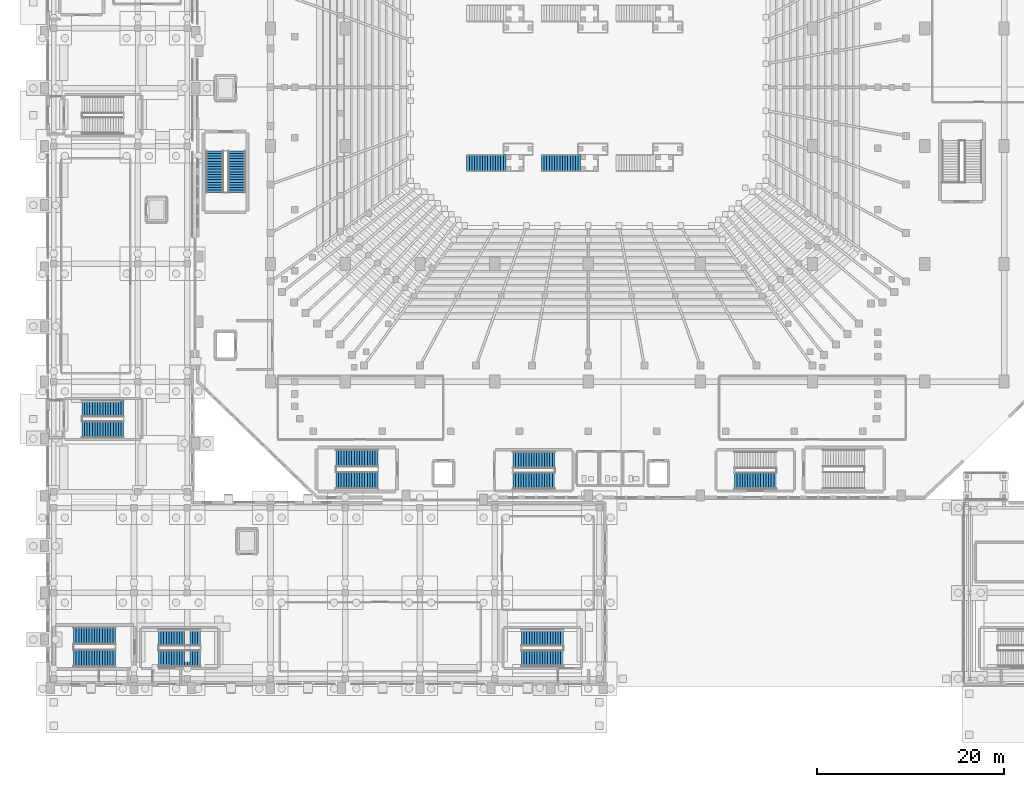
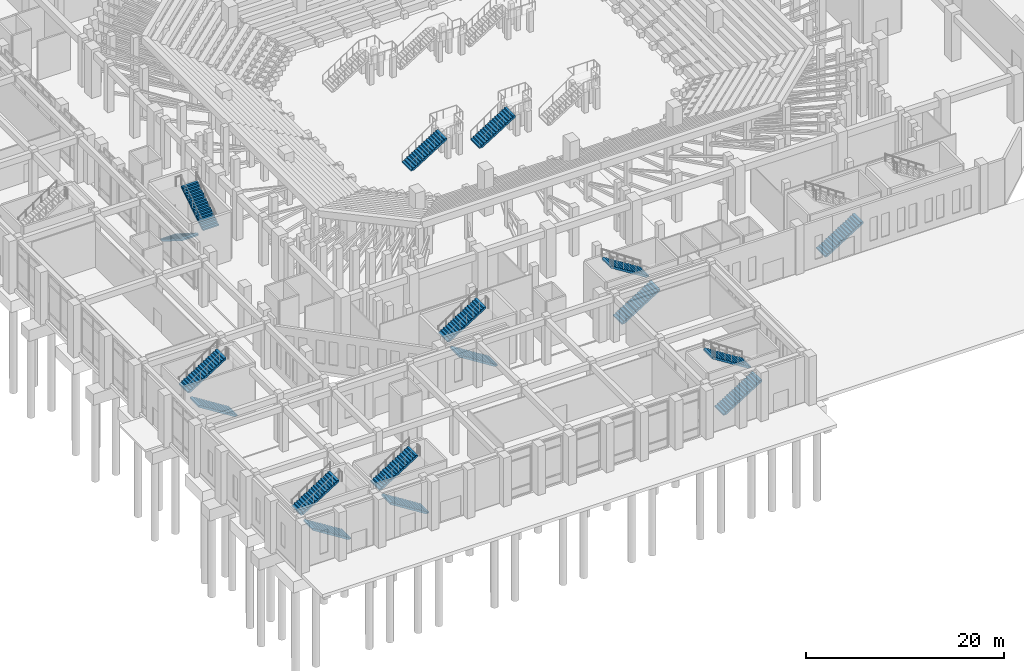
# One storey, part 122 of 143: 17 stair flights, 10 elements without a shape of their own.
"""IFC4 building model written with IfcOpenShell, lengths in metres."""

from ifc_helpers import new_model, si_unit, derived_unit, direction, frame, origin, place, context, subcontext, project, spatial, polyline, outline, extrude, material, type_object, element, aggregate, save


model = new_model("IFC4")

# Units and contexts
model_context = context("Model", 3, precision=1e-05, world=origin(), true_north=direction((0.0, 1.0)))
body_context = subcontext(model_context, "Body", "Model", "MODEL_VIEW")
ifc_project = project(units=[si_unit("LENGTHUNIT", "METRE"), si_unit("AREAUNIT", "SQUARE_METRE"), si_unit("VOLUMEUNIT", "CUBIC_METRE"), si_unit("PLANEANGLEUNIT", "RADIAN"), si_unit("MASSUNIT", "GRAM", prefix="KILO"), derived_unit("THERMALTRANSMITTANCEUNIT", [(si_unit("MASSUNIT", "GRAM", prefix="KILO"), 1), (si_unit("TIMEUNIT", "SECOND"), -3), (si_unit("THERMODYNAMICTEMPERATUREUNIT", "KELVIN"), -1)])], contexts=[model_context])

# Site, building, storey
site_placement = place(None, origin())
site = spatial("IfcSite", under=ifc_project, at=site_placement, CompositionType="ELEMENT")
building_placement = place(site_placement, origin())
building = spatial("IfcBuilding", under=site, at=building_placement, Name="Valcora Ridge Arena", CompositionType="ELEMENT")
storey_placement = place(building_placement, origin())
storey = spatial("IfcBuildingStorey", under=building, at=storey_placement, Name="L00", CompositionType="ELEMENT", Elevation=0.0)

# Stair, stair flights
ifc_material = material(Name="Concrete C40/50", Category="concrete")
stair_type_1 = type_object("IfcStairType", Name="TY-STAIR-ES01-60", PredefinedType="HALF_TURN_STAIR", material=ifc_material)
stair_1_placement = place(storey_placement, origin())
stair_1 = element("IfcStair", 1, at=stair_1_placement, inside=storey, type_object=stair_type_1, Name="ES01-60 STR-ES-0001", PredefinedType="HALF_TURN_STAIR")
stair_flight_type_1 = type_object("IfcStairFlightType", Name="TY-FLIGHT-ES01-60", PredefinedType="STRAIGHT", material=ifc_material)
stair_flight_1_placement = place(storey_placement, frame((49.9599609375, 21.97998046875, 0.0), z_axis=(0.0, 0.0, 1.0), x_axis=(1.0, 0.0, 0.0)))
stair_flight_1 = element("IfcStairFlight", 2, at=stair_flight_1_placement, type_object=stair_flight_type_1, Name="ES01-60 flight 1", NumberOfRisers=17, NumberOfTreads=16, PredefinedType="STRAIGHT", RiserHeight=0.176471, TreadLength=0.28, context=body_context, shape_type="SweptSolid", body=[
    extrude(outline(polyline([(0.0, 0.0), (0.0, 0.176513671875), (0.280029296875, 0.176513671875), (0.280029296875, 0.35302734375), (0.56005859375, 0.35302734375), (0.56005859375, 0.529296875), (0.840087890625, 0.529296875), (0.840087890625, 0.705810546875), (1.1201171875, 0.705810546875), (1.1201171875, 0.88232421875), (1.39990234375, 0.88232421875), (1.39990234375, 1.058837890625), (1.679931640625, 1.058837890625), (1.679931640625, 1.2353515625), (1.9599609375, 1.2353515625), (1.9599609375, 1.411865234375), (2.239990234375, 1.411865234375), (2.239990234375, 1.588134765625), (2.52001953125, 1.588134765625), (2.52001953125, 1.7646484375), (2.800048828125, 1.7646484375), (2.800048828125, 1.941162109375), (3.080078125, 1.941162109375), (3.080078125, 2.11767578125), (3.360107421875, 2.11767578125), (3.360107421875, 2.294189453125), (3.639892578125, 2.294189453125), (3.639892578125, 2.470703125), (3.919921875, 2.470703125), (3.919921875, 2.64697265625), (4.199951171875, 2.64697265625), (4.199951171875, 2.823486328125), (4.47998046875, 2.823486328125), (4.47998046875, 3.0), (4.47998046875, 2.61083984375), (0.33740234375, 0.0), (0.0, 0.0)])), frame((0.0, 0.89990234375, 0.0), z_axis=(0.0, -1.0, 0.0), x_axis=(1.0, 0.0, 0.0)), (0.0, 0.0, 1.0), 1.800048828125),
])
stair_flight_2_placement = place(storey_placement, frame((54.43994140625, 24.219970703125, 3.0), z_axis=(0.0, 0.0, 1.0), x_axis=(-1.0, 0.0, 0.0)))
stair_flight_2 = element("IfcStairFlight", 3, at=stair_flight_2_placement, type_object=stair_flight_type_1, Name="ES01-60 flight 2", NumberOfRisers=17, NumberOfTreads=16, PredefinedType="STRAIGHT", RiserHeight=0.176471, TreadLength=0.28, context=body_context, shape_type="SweptSolid", body=[
    extrude(outline(polyline([(0.0, 0.0), (0.0, 0.176513671875), (0.280029296875, 0.176513671875), (0.280029296875, 0.35302734375), (0.56005859375, 0.35302734375), (0.56005859375, 0.529296875), (0.840087890625, 0.529296875), (0.840087890625, 0.705810546875), (1.1201171875, 0.705810546875), (1.1201171875, 0.88232421875), (1.39990234375, 0.88232421875), (1.39990234375, 1.058837890625), (1.679931640625, 1.058837890625), (1.679931640625, 1.2353515625), (1.9599609375, 1.2353515625), (1.9599609375, 1.411865234375), (2.239990234375, 1.411865234375), (2.239990234375, 1.588134765625), (2.52001953125, 1.588134765625), (2.52001953125, 1.7646484375), (2.800048828125, 1.7646484375), (2.800048828125, 1.941162109375), (3.080078125, 1.941162109375), (3.080078125, 2.11767578125), (3.360107421875, 2.11767578125), (3.360107421875, 2.294189453125), (3.639892578125, 2.294189453125), (3.639892578125, 2.470703125), (3.919921875, 2.470703125), (3.919921875, 2.64697265625), (4.199951171875, 2.64697265625), (4.199951171875, 2.823486328125), (4.47998046875, 2.823486328125), (4.47998046875, 3.0), (4.47998046875, 2.61083984375), (0.33740234375, 0.0), (0.0, 0.0)])), frame((0.0, 0.89990234375, 0.0), z_axis=(0.0, -1.0, 0.0), x_axis=(1.0, 0.0, 0.0)), (0.0, 0.0, 1.0), 1.800048828125),
])
aggregate(stair_1, [stair_flight_1, stair_flight_2])

# Stair, stair flight
stair_type_2 = type_object("IfcStairType", Name="TY-STAIR-ES02-60", PredefinedType="HALF_TURN_STAIR", material=ifc_material)
stair_2_placement = place(storey_placement, origin())
stair_2 = element("IfcStair", 4, at=stair_2_placement, inside=storey, type_object=stair_type_2, Name="ES02-60 STR-ES-0005", PredefinedType="HALF_TURN_STAIR")
stair_flight_type_2 = type_object("IfcStairFlightType", Name="TY-FLIGHT-ES02-60", PredefinedType="STRAIGHT", material=ifc_material)
stair_flight_3_placement = place(storey_placement, frame((73.659912109375, 21.97998046875, 0.0), z_axis=(0.0, 0.0, 1.0), x_axis=(1.0, 0.0, 0.0)))
stair_flight_3 = element("IfcStairFlight", 5, at=stair_flight_3_placement, type_object=stair_flight_type_2, Name="ES02-60 flight 1", NumberOfRisers=17, NumberOfTreads=16, PredefinedType="STRAIGHT", RiserHeight=0.176471, TreadLength=0.28, context=body_context, shape_type="SweptSolid", body=[
    extrude(outline(polyline([(0.0, 0.0), (0.0, 0.176513671875), (0.280029296875, 0.176513671875), (0.280029296875, 0.35302734375), (0.56005859375, 0.35302734375), (0.56005859375, 0.529296875), (0.840087890625, 0.529296875), (0.840087890625, 0.705810546875), (1.1201171875, 0.705810546875), (1.1201171875, 0.88232421875), (1.39990234375, 0.88232421875), (1.39990234375, 1.058837890625), (1.679931640625, 1.058837890625), (1.679931640625, 1.2353515625), (1.9599609375, 1.2353515625), (1.9599609375, 1.411865234375), (2.239990234375, 1.411865234375), (2.239990234375, 1.588134765625), (2.52001953125, 1.588134765625), (2.52001953125, 1.7646484375), (2.800048828125, 1.7646484375), (2.800048828125, 1.941162109375), (3.080078125, 1.941162109375), (3.080078125, 2.11767578125), (3.360107421875, 2.11767578125), (3.360107421875, 2.294189453125), (3.639892578125, 2.294189453125), (3.639892578125, 2.470703125), (3.919921875, 2.470703125), (3.919921875, 2.64697265625), (4.199951171875, 2.64697265625), (4.199951171875, 2.823486328125), (4.47998046875, 2.823486328125), (4.47998046875, 3.0), (4.47998046875, 2.61083984375), (0.33740234375, 0.0), (0.0, 0.0)])), frame((0.0, 0.89990234375, 0.0), z_axis=(0.0, -1.0, 0.0), x_axis=(1.0, 0.0, 0.0)), (0.0, 0.0, 1.0), 1.800048828125),
])
aggregate(stair_2, [stair_flight_3])

# Stair, stair flights
stair_type_3 = type_object("IfcStairType", Name="TY-STAIR-ES05-60", PredefinedType="HALF_TURN_STAIR", material=ifc_material)
stair_3_placement = place(storey_placement, origin())
stair_3 = element("IfcStair", 6, at=stair_3_placement, inside=storey, type_object=stair_type_3, Name="ES05-60 STR-ES-0017", PredefinedType="HALF_TURN_STAIR")
stair_flight_type_3 = type_object("IfcStairFlightType", Name="TY-FLIGHT-ES05-60", PredefinedType="STRAIGHT", material=ifc_material)
stair_flight_4_placement = place(storey_placement, frame((16.5, 2.97998046875, 0.0), z_axis=(0.0, 0.0, 1.0), x_axis=(-1.0, 0.0, 0.0)))
stair_flight_4 = element("IfcStairFlight", 7, at=stair_flight_4_placement, type_object=stair_flight_type_3, Name="ES05-60 flight 1", NumberOfRisers=17, NumberOfTreads=16, PredefinedType="STRAIGHT", RiserHeight=0.176471, TreadLength=0.28, context=body_context, shape_type="SweptSolid", body=[
    extrude(outline(polyline([(0.0, 0.0), (0.0, 0.176513671875), (0.280029296875, 0.176513671875), (0.280029296875, 0.35302734375), (0.56005859375, 0.35302734375), (0.56005859375, 0.529296875), (0.840087890625, 0.529296875), (0.840087890625, 0.705810546875), (1.1201171875, 0.705810546875), (1.1201171875, 0.88232421875), (1.39990234375, 0.88232421875), (1.39990234375, 1.058837890625), (1.679931640625, 1.058837890625), (1.679931640625, 1.2353515625), (1.9599609375, 1.2353515625), (1.9599609375, 1.411865234375), (2.239990234375, 1.411865234375), (2.239990234375, 1.588134765625), (2.52001953125, 1.588134765625), (2.52001953125, 1.7646484375), (2.800048828125, 1.7646484375), (2.800048828125, 1.941162109375), (3.080078125, 1.941162109375), (3.080078125, 2.11767578125), (3.360107421875, 2.11767578125), (3.360107421875, 2.294189453125), (3.639892578125, 2.294189453125), (3.639892578125, 2.470703125), (3.919921875, 2.470703125), (3.919921875, 2.64697265625), (4.199951171875, 2.64697265625), (4.199951171875, 2.823486328125), (4.47998046875, 2.823486328125), (4.47998046875, 3.0), (4.47998046875, 2.61083984375), (0.33740234375, 0.0), (0.0, 0.0)])), frame((0.0, 0.89990234375, 0.0), z_axis=(0.0, -1.0, 0.0), x_axis=(1.0, 0.0, 0.0)), (0.0, 0.0, 1.0), 1.800048828125),
])
stair_flight_5_placement = place(storey_placement, frame((12.02001953125, 5.219970703125, 3.0), z_axis=(0.0, 0.0, 1.0), x_axis=(1.0, 0.0, 0.0)))
stair_flight_5 = element("IfcStairFlight", 8, at=stair_flight_5_placement, type_object=stair_flight_type_3, Name="ES05-60 flight 2", NumberOfRisers=17, NumberOfTreads=16, PredefinedType="STRAIGHT", RiserHeight=0.176471, TreadLength=0.28, context=body_context, shape_type="SweptSolid", body=[
    extrude(outline(polyline([(0.0, 0.0), (0.0, 0.176513671875), (0.280029296875, 0.176513671875), (0.280029296875, 0.35302734375), (0.56005859375, 0.35302734375), (0.56005859375, 0.529296875), (0.840087890625, 0.529296875), (0.840087890625, 0.705810546875), (1.1201171875, 0.705810546875), (1.1201171875, 0.88232421875), (1.39990234375, 0.88232421875), (1.39990234375, 1.058837890625), (1.679931640625, 1.058837890625), (1.679931640625, 1.2353515625), (1.9599609375, 1.2353515625), (1.9599609375, 1.411865234375), (2.239990234375, 1.411865234375), (2.239990234375, 1.588134765625), (2.52001953125, 1.588134765625), (2.52001953125, 1.7646484375), (2.800048828125, 1.7646484375), (2.800048828125, 1.941162109375), (3.080078125, 1.941162109375), (3.080078125, 2.11767578125), (3.360107421875, 2.11767578125), (3.360107421875, 2.294189453125), (3.639892578125, 2.294189453125), (3.639892578125, 2.470703125), (3.919921875, 2.470703125), (3.919921875, 2.64697265625), (4.199951171875, 2.64697265625), (4.199951171875, 2.823486328125), (4.47998046875, 2.823486328125), (4.47998046875, 3.0), (4.47998046875, 2.61083984375), (0.33740234375, 0.0), (0.0, 0.0)])), frame((0.0, 0.89990234375, 0.0), z_axis=(0.0, -1.0, 0.0), x_axis=(1.0, 0.0, 0.0)), (0.0, 0.0, 1.0), 1.800048828125),
])
aggregate(stair_3, [stair_flight_4, stair_flight_5])

stair_type_4 = type_object("IfcStairType", Name="TY-STAIR-ES06-60", PredefinedType="HALF_TURN_STAIR", material=ifc_material)
stair_4_placement = place(storey_placement, origin())
stair_4 = element("IfcStair", 9, at=stair_4_placement, inside=storey, type_object=stair_type_4, Name="ES06-60 STR-ES-0021", PredefinedType="HALF_TURN_STAIR")
stair_flight_type_4 = type_object("IfcStairFlightType", Name="TY-FLIGHT-ES06-60", PredefinedType="STRAIGHT", material=ifc_material)
stair_flight_6_placement = place(storey_placement, frame((50.860107421875, 2.97998046875, 0.0), z_axis=(0.0, 0.0, 1.0), x_axis=(1.0, 0.0, 0.0)))
stair_flight_6 = element("IfcStairFlight", 10, at=stair_flight_6_placement, type_object=stair_flight_type_4, Name="ES06-60 flight 1", NumberOfRisers=17, NumberOfTreads=16, PredefinedType="STRAIGHT", RiserHeight=0.176471, TreadLength=0.28, context=body_context, shape_type="SweptSolid", body=[
    extrude(outline(polyline([(0.0, 0.0), (0.0, 0.176513671875), (0.280029296875, 0.176513671875), (0.280029296875, 0.35302734375), (0.56005859375, 0.35302734375), (0.56005859375, 0.529296875), (0.840087890625, 0.529296875), (0.840087890625, 0.705810546875), (1.1201171875, 0.705810546875), (1.1201171875, 0.88232421875), (1.39990234375, 0.88232421875), (1.39990234375, 1.058837890625), (1.679931640625, 1.058837890625), (1.679931640625, 1.2353515625), (1.9599609375, 1.2353515625), (1.9599609375, 1.411865234375), (2.239990234375, 1.411865234375), (2.239990234375, 1.588134765625), (2.52001953125, 1.588134765625), (2.52001953125, 1.7646484375), (2.800048828125, 1.7646484375), (2.800048828125, 1.941162109375), (3.080078125, 1.941162109375), (3.080078125, 2.11767578125), (3.360107421875, 2.11767578125), (3.360107421875, 2.294189453125), (3.639892578125, 2.294189453125), (3.639892578125, 2.470703125), (3.919921875, 2.470703125), (3.919921875, 2.64697265625), (4.199951171875, 2.64697265625), (4.199951171875, 2.823486328125), (4.47998046875, 2.823486328125), (4.47998046875, 3.0), (4.47998046875, 2.61083984375), (0.33740234375, 0.0), (0.0, 0.0)])), frame((0.0, 0.89990234375, 0.0), z_axis=(0.0, -1.0, 0.0), x_axis=(1.0, 0.0, 0.0)), (0.0, 0.0, 1.0), 1.800048828125),
])
stair_flight_7_placement = place(storey_placement, frame((55.340087890625, 5.219970703125, 3.0), z_axis=(0.0, 0.0, 1.0), x_axis=(-1.0, 0.0, 0.0)))
stair_flight_7 = element("IfcStairFlight", 11, at=stair_flight_7_placement, type_object=stair_flight_type_4, Name="ES06-60 flight 2", NumberOfRisers=17, NumberOfTreads=16, PredefinedType="STRAIGHT", RiserHeight=0.176471, TreadLength=0.28, context=body_context, shape_type="SweptSolid", body=[
    extrude(outline(polyline([(0.0, 0.0), (0.0, 0.176513671875), (0.280029296875, 0.176513671875), (0.280029296875, 0.35302734375), (0.56005859375, 0.35302734375), (0.56005859375, 0.529296875), (0.840087890625, 0.529296875), (0.840087890625, 0.705810546875), (1.1201171875, 0.705810546875), (1.1201171875, 0.88232421875), (1.39990234375, 0.88232421875), (1.39990234375, 1.058837890625), (1.679931640625, 1.058837890625), (1.679931640625, 1.2353515625), (1.9599609375, 1.2353515625), (1.9599609375, 1.411865234375), (2.239990234375, 1.411865234375), (2.239990234375, 1.588134765625), (2.52001953125, 1.588134765625), (2.52001953125, 1.7646484375), (2.800048828125, 1.7646484375), (2.800048828125, 1.941162109375), (3.080078125, 1.941162109375), (3.080078125, 2.11767578125), (3.360107421875, 2.11767578125), (3.360107421875, 2.294189453125), (3.639892578125, 2.294189453125), (3.639892578125, 2.470703125), (3.919921875, 2.470703125), (3.919921875, 2.64697265625), (4.199951171875, 2.64697265625), (4.199951171875, 2.823486328125), (4.47998046875, 2.823486328125), (4.47998046875, 3.0), (4.47998046875, 2.61083984375), (0.33740234375, 0.0), (0.0, 0.0)])), frame((0.0, 0.89990234375, 0.0), z_axis=(0.0, -1.0, 0.0), x_axis=(1.0, 0.0, 0.0)), (0.0, 0.0, 1.0), 1.800048828125),
])
aggregate(stair_4, [stair_flight_6, stair_flight_7])

stair_type_5 = type_object("IfcStairType", Name="TY-STAIR-ES07-60", PredefinedType="HALF_TURN_STAIR", material=ifc_material)
stair_5_placement = place(storey_placement, origin())
stair_5 = element("IfcStair", 12, at=stair_5_placement, inside=storey, type_object=stair_type_5, Name="ES07-60 STR-ES-0023", PredefinedType="HALF_TURN_STAIR")
stair_flight_type_5 = type_object("IfcStairFlightType", Name="TY-FLIGHT-ES07-60", PredefinedType="STRAIGHT", material=ifc_material)
stair_flight_8_placement = place(storey_placement, frame((8.300048828125, 27.47998046875, 0.0), z_axis=(0.0, 0.0, 1.0), x_axis=(-1.0, 0.0, 0.0)))
stair_flight_8 = element("IfcStairFlight", 13, at=stair_flight_8_placement, type_object=stair_flight_type_5, Name="ES07-60 flight 1", NumberOfRisers=17, NumberOfTreads=16, PredefinedType="STRAIGHT", RiserHeight=0.176471, TreadLength=0.28, context=body_context, shape_type="SweptSolid", body=[
    extrude(outline(polyline([(0.0, 0.0), (0.0, 0.176513671875), (0.280029296875, 0.176513671875), (0.280029296875, 0.35302734375), (0.56005859375, 0.35302734375), (0.56005859375, 0.529296875), (0.840087890625, 0.529296875), (0.840087890625, 0.705810546875), (1.1201171875, 0.705810546875), (1.1201171875, 0.88232421875), (1.39990234375, 0.88232421875), (1.39990234375, 1.058837890625), (1.679931640625, 1.058837890625), (1.679931640625, 1.2353515625), (1.9599609375, 1.2353515625), (1.9599609375, 1.411865234375), (2.239990234375, 1.411865234375), (2.239990234375, 1.588134765625), (2.52001953125, 1.588134765625), (2.52001953125, 1.7646484375), (2.800048828125, 1.7646484375), (2.800048828125, 1.941162109375), (3.080078125, 1.941162109375), (3.080078125, 2.11767578125), (3.360107421875, 2.11767578125), (3.360107421875, 2.294189453125), (3.639892578125, 2.294189453125), (3.639892578125, 2.470703125), (3.919921875, 2.470703125), (3.919921875, 2.64697265625), (4.199951171875, 2.64697265625), (4.199951171875, 2.823486328125), (4.47998046875, 2.823486328125), (4.47998046875, 3.0), (4.47998046875, 2.61083984375), (0.33740234375, 0.0), (0.0, 0.0)])), frame((0.0, 0.89990234375, 0.0), z_axis=(0.0, -1.0, 0.0), x_axis=(1.0, 0.0, 0.0)), (0.0, 0.0, 1.0), 1.800048828125),
])
stair_flight_9_placement = place(storey_placement, frame((3.820068359375, 29.719970703125, 3.0), z_axis=(0.0, 0.0, 1.0), x_axis=(1.0, 0.0, 0.0)))
stair_flight_9 = element("IfcStairFlight", 14, at=stair_flight_9_placement, type_object=stair_flight_type_5, Name="ES07-60 flight 2", NumberOfRisers=17, NumberOfTreads=16, PredefinedType="STRAIGHT", RiserHeight=0.176471, TreadLength=0.28, context=body_context, shape_type="SweptSolid", body=[
    extrude(outline(polyline([(0.0, 0.0), (0.0, 0.176513671875), (0.280029296875, 0.176513671875), (0.280029296875, 0.35302734375), (0.56005859375, 0.35302734375), (0.56005859375, 0.529296875), (0.840087890625, 0.529296875), (0.840087890625, 0.705810546875), (1.1201171875, 0.705810546875), (1.1201171875, 0.88232421875), (1.39990234375, 0.88232421875), (1.39990234375, 1.058837890625), (1.679931640625, 1.058837890625), (1.679931640625, 1.2353515625), (1.9599609375, 1.2353515625), (1.9599609375, 1.411865234375), (2.239990234375, 1.411865234375), (2.239990234375, 1.588134765625), (2.52001953125, 1.588134765625), (2.52001953125, 1.7646484375), (2.800048828125, 1.7646484375), (2.800048828125, 1.941162109375), (3.080078125, 1.941162109375), (3.080078125, 2.11767578125), (3.360107421875, 2.11767578125), (3.360107421875, 2.294189453125), (3.639892578125, 2.294189453125), (3.639892578125, 2.470703125), (3.919921875, 2.470703125), (3.919921875, 2.64697265625), (4.199951171875, 2.64697265625), (4.199951171875, 2.823486328125), (4.47998046875, 2.823486328125), (4.47998046875, 3.0), (4.47998046875, 2.61083984375), (0.33740234375, 0.0), (0.0, 0.0)])), frame((0.0, 0.89990234375, 0.0), z_axis=(0.0, -1.0, 0.0), x_axis=(1.0, 0.0, 0.0)), (0.0, 0.0, 1.0), 1.800048828125),
])
aggregate(stair_5, [stair_flight_8, stair_flight_9])

stair_type_6 = type_object("IfcStairType", Name="TY-STAIR-ST01-60", PredefinedType="HALF_TURN_STAIR", material=ifc_material)
stair_6_placement = place(storey_placement, origin())
stair_6 = element("IfcStair", 15, at=stair_6_placement, inside=storey, type_object=stair_type_6, Name="ST01-60 STR-CR-0002", PredefinedType="HALF_TURN_STAIR")
stair_flight_type_6 = type_object("IfcStairFlightType", Name="TY-FLIGHT-ST01-60", PredefinedType="STRAIGHT", material=ifc_material)
stair_flight_10_placement = place(storey_placement, frame((35.489990234375, 22.0048828125, 0.0), z_axis=(0.0, 0.0, 1.0), x_axis=(-1.0, 0.0, 0.0)))
stair_flight_10 = element("IfcStairFlight", 16, at=stair_flight_10_placement, type_object=stair_flight_type_6, Name="ST01-60 flight 1", NumberOfRisers=17, NumberOfTreads=16, PredefinedType="STRAIGHT", RiserHeight=0.176471, TreadLength=0.28, context=body_context, shape_type="SweptSolid", body=[
    extrude(outline(polyline([(0.0, 0.0), (0.0, 0.176513671875), (0.280029296875, 0.176513671875), (0.280029296875, 0.35302734375), (0.56005859375, 0.35302734375), (0.56005859375, 0.529296875), (0.840087890625, 0.529296875), (0.840087890625, 0.705810546875), (1.1201171875, 0.705810546875), (1.1201171875, 0.88232421875), (1.39990234375, 0.88232421875), (1.39990234375, 1.058837890625), (1.679931640625, 1.058837890625), (1.679931640625, 1.2353515625), (1.9599609375, 1.2353515625), (1.9599609375, 1.411865234375), (2.239990234375, 1.411865234375), (2.239990234375, 1.588134765625), (2.52001953125, 1.588134765625), (2.52001953125, 1.7646484375), (2.800048828125, 1.7646484375), (2.800048828125, 1.941162109375), (3.080078125, 1.941162109375), (3.080078125, 2.11767578125), (3.360107421875, 2.11767578125), (3.360107421875, 2.294189453125), (3.639892578125, 2.294189453125), (3.639892578125, 2.470703125), (3.919921875, 2.470703125), (3.919921875, 2.64697265625), (4.199951171875, 2.64697265625), (4.199951171875, 2.823486328125), (4.47998046875, 2.823486328125), (4.47998046875, 3.0), (4.47998046875, 2.61083984375), (0.33740234375, 0.0), (0.0, 0.0)])), frame((0.0, 0.925048828125, 0.0), z_axis=(0.0, -1.0, 0.0), x_axis=(1.0, 0.0, 0.0)), (0.0, 0.0, 1.0), 1.85009765625),
])
stair_flight_11_placement = place(storey_placement, frame((31.010009765625, 24.39501953125, 3.0), z_axis=(0.0, 0.0, 1.0), x_axis=(1.0, 0.0, 0.0)))
stair_flight_11 = element("IfcStairFlight", 17, at=stair_flight_11_placement, type_object=stair_flight_type_6, Name="ST01-60 flight 2", NumberOfRisers=17, NumberOfTreads=16, PredefinedType="STRAIGHT", RiserHeight=0.176471, TreadLength=0.28, context=body_context, shape_type="SweptSolid", body=[
    extrude(outline(polyline([(0.0, 0.0), (0.0, 0.176513671875), (0.280029296875, 0.176513671875), (0.280029296875, 0.35302734375), (0.56005859375, 0.35302734375), (0.56005859375, 0.529296875), (0.840087890625, 0.529296875), (0.840087890625, 0.705810546875), (1.1201171875, 0.705810546875), (1.1201171875, 0.88232421875), (1.39990234375, 0.88232421875), (1.39990234375, 1.058837890625), (1.679931640625, 1.058837890625), (1.679931640625, 1.2353515625), (1.9599609375, 1.2353515625), (1.9599609375, 1.411865234375), (2.239990234375, 1.411865234375), (2.239990234375, 1.588134765625), (2.52001953125, 1.588134765625), (2.52001953125, 1.7646484375), (2.800048828125, 1.7646484375), (2.800048828125, 1.941162109375), (3.080078125, 1.941162109375), (3.080078125, 2.11767578125), (3.360107421875, 2.11767578125), (3.360107421875, 2.294189453125), (3.639892578125, 2.294189453125), (3.639892578125, 2.470703125), (3.919921875, 2.470703125), (3.919921875, 2.64697265625), (4.199951171875, 2.64697265625), (4.199951171875, 2.823486328125), (4.47998046875, 2.823486328125), (4.47998046875, 3.0), (4.47998046875, 2.61083984375), (0.33740234375, 0.0), (0.0, 0.0)])), frame((0.0, 0.925048828125, 0.0), z_axis=(0.0, -1.0, 0.0), x_axis=(1.0, 0.0, 0.0)), (0.0, 0.0, 1.0), 1.85009765625),
])
aggregate(stair_6, [stair_flight_10, stair_flight_11])

stair_type_7 = type_object("IfcStairType", Name="TY-STAIR-ST05-60", PredefinedType="HALF_TURN_STAIR", material=ifc_material)
stair_7_placement = place(storey_placement, origin())
stair_7 = element("IfcStair", 18, at=stair_7_placement, inside=storey, type_object=stair_type_7, Name="ST05-60 STR-CR-0024", PredefinedType="HALF_TURN_STAIR")
stair_flight_type_7 = type_object("IfcStairFlightType", Name="TY-FLIGHT-ST05-60", PredefinedType="STRAIGHT", material=ifc_material)
stair_flight_12_placement = place(storey_placement, frame((18.0048828125, 57.2900390625, 0.0), z_axis=(0.0, 0.0, 1.0), x_axis=(0.0, -1.0, 0.0)))
stair_flight_12 = element("IfcStairFlight", 19, at=stair_flight_12_placement, type_object=stair_flight_type_7, Name="ST05-60 flight 1", NumberOfRisers=17, NumberOfTreads=16, PredefinedType="STRAIGHT", RiserHeight=0.176471, TreadLength=0.28, context=body_context, shape_type="SweptSolid", body=[
    extrude(outline(polyline([(0.0, 0.0), (0.0, 0.176513671875), (0.280029296875, 0.176513671875), (0.280029296875, 0.35302734375), (0.56005859375, 0.35302734375), (0.56005859375, 0.529296875), (0.840087890625, 0.529296875), (0.840087890625, 0.705810546875), (1.1201171875, 0.705810546875), (1.1201171875, 0.88232421875), (1.39990234375, 0.88232421875), (1.39990234375, 1.058837890625), (1.679931640625, 1.058837890625), (1.679931640625, 1.2353515625), (1.9599609375, 1.2353515625), (1.9599609375, 1.411865234375), (2.239990234375, 1.411865234375), (2.239990234375, 1.588134765625), (2.52001953125, 1.588134765625), (2.52001953125, 1.7646484375), (2.800048828125, 1.7646484375), (2.800048828125, 1.941162109375), (3.080078125, 1.941162109375), (3.080078125, 2.11767578125), (3.360107421875, 2.11767578125), (3.360107421875, 2.294189453125), (3.639892578125, 2.294189453125), (3.639892578125, 2.470703125), (3.919921875, 2.470703125), (3.919921875, 2.64697265625), (4.199951171875, 2.64697265625), (4.199951171875, 2.823486328125), (4.47998046875, 2.823486328125), (4.47998046875, 3.0), (4.47998046875, 2.61083984375), (0.33740234375, 0.0), (0.0, 0.0)])), frame((0.0, 0.925048828125, 0.0), z_axis=(0.0, -1.0, 0.0), x_axis=(1.0, 0.0, 0.0)), (0.0, 0.0, 1.0), 1.85009765625),
])
stair_flight_13_placement = place(storey_placement, frame((20.39501953125, 52.81005859375, 3.0), z_axis=(0.0, 0.0, 1.0), x_axis=(0.0, 1.0, 0.0)))
stair_flight_13 = element("IfcStairFlight", 20, at=stair_flight_13_placement, type_object=stair_flight_type_7, Name="ST05-60 flight 2", NumberOfRisers=17, NumberOfTreads=16, PredefinedType="STRAIGHT", RiserHeight=0.176471, TreadLength=0.28, context=body_context, shape_type="SweptSolid", body=[
    extrude(outline(polyline([(0.0, 0.0), (0.0, 0.176513671875), (0.280029296875, 0.176513671875), (0.280029296875, 0.35302734375), (0.56005859375, 0.35302734375), (0.56005859375, 0.529296875), (0.840087890625, 0.529296875), (0.840087890625, 0.705810546875), (1.1201171875, 0.705810546875), (1.1201171875, 0.88232421875), (1.39990234375, 0.88232421875), (1.39990234375, 1.058837890625), (1.679931640625, 1.058837890625), (1.679931640625, 1.2353515625), (1.9599609375, 1.2353515625), (1.9599609375, 1.411865234375), (2.239990234375, 1.411865234375), (2.239990234375, 1.588134765625), (2.52001953125, 1.588134765625), (2.52001953125, 1.7646484375), (2.800048828125, 1.7646484375), (2.800048828125, 1.941162109375), (3.080078125, 1.941162109375), (3.080078125, 2.11767578125), (3.360107421875, 2.11767578125), (3.360107421875, 2.294189453125), (3.639892578125, 2.294189453125), (3.639892578125, 2.470703125), (3.919921875, 2.470703125), (3.919921875, 2.64697265625), (4.199951171875, 2.64697265625), (4.199951171875, 2.823486328125), (4.47998046875, 2.823486328125), (4.47998046875, 3.0), (4.47998046875, 2.61083984375), (0.33740234375, 0.0), (0.0, 0.0)])), frame((0.0, 0.925048828125, 0.0), z_axis=(0.0, -1.0, 0.0), x_axis=(1.0, 0.0, 0.0)), (0.0, 0.0, 1.0), 1.85009765625),
])
aggregate(stair_7, [stair_flight_12, stair_flight_13])

stair_type_8 = type_object("IfcStairType", Name="TY-STAIR-ST07-60", PredefinedType="HALF_TURN_STAIR", material=ifc_material)
stair_8_placement = place(storey_placement, origin())
stair_8 = element("IfcStair", 21, at=stair_8_placement, inside=storey, type_object=stair_type_8, Name="ST07-60 STR-CR-0031", PredefinedType="HALF_TURN_STAIR")
stair_flight_type_8 = type_object("IfcStairFlightType", Name="TY-FLIGHT-ST07-60", PredefinedType="STRAIGHT", material=ifc_material)
stair_flight_14_placement = place(storey_placement, frame((7.409912109375, 3.0048828125, 0.0), z_axis=(0.0, 0.0, 1.0), x_axis=(-1.0, 0.0, 0.0)))
stair_flight_14 = element("IfcStairFlight", 22, at=stair_flight_14_placement, type_object=stair_flight_type_8, Name="ST07-60 flight 1", NumberOfRisers=17, NumberOfTreads=16, PredefinedType="STRAIGHT", RiserHeight=0.176471, TreadLength=0.28, context=body_context, shape_type="SweptSolid", body=[
    extrude(outline(polyline([(0.0, 0.0), (0.0, 0.176513671875), (0.280029296875, 0.176513671875), (0.280029296875, 0.35302734375), (0.56005859375, 0.35302734375), (0.56005859375, 0.529296875), (0.840087890625, 0.529296875), (0.840087890625, 0.705810546875), (1.1201171875, 0.705810546875), (1.1201171875, 0.88232421875), (1.39990234375, 0.88232421875), (1.39990234375, 1.058837890625), (1.679931640625, 1.058837890625), (1.679931640625, 1.2353515625), (1.9599609375, 1.2353515625), (1.9599609375, 1.411865234375), (2.239990234375, 1.411865234375), (2.239990234375, 1.588134765625), (2.52001953125, 1.588134765625), (2.52001953125, 1.7646484375), (2.800048828125, 1.7646484375), (2.800048828125, 1.941162109375), (3.080078125, 1.941162109375), (3.080078125, 2.11767578125), (3.360107421875, 2.11767578125), (3.360107421875, 2.294189453125), (3.639892578125, 2.294189453125), (3.639892578125, 2.470703125), (3.919921875, 2.470703125), (3.919921875, 2.64697265625), (4.199951171875, 2.64697265625), (4.199951171875, 2.823486328125), (4.47998046875, 2.823486328125), (4.47998046875, 3.0), (4.47998046875, 2.61083984375), (0.33740234375, 0.0), (0.0, 0.0)])), frame((0.0, 0.925048828125, 0.0), z_axis=(0.0, -1.0, 0.0), x_axis=(1.0, 0.0, 0.0)), (0.0, 0.0, 1.0), 1.85009765625),
])
stair_flight_15_placement = place(storey_placement, frame((2.929931640625, 5.39501953125, 3.0), z_axis=(0.0, 0.0, 1.0), x_axis=(1.0, 0.0, 0.0)))
stair_flight_15 = element("IfcStairFlight", 23, at=stair_flight_15_placement, type_object=stair_flight_type_8, Name="ST07-60 flight 2", NumberOfRisers=17, NumberOfTreads=16, PredefinedType="STRAIGHT", RiserHeight=0.176471, TreadLength=0.28, context=body_context, shape_type="SweptSolid", body=[
    extrude(outline(polyline([(0.0, 0.0), (0.0, 0.176513671875), (0.280029296875, 0.176513671875), (0.280029296875, 0.35302734375), (0.56005859375, 0.35302734375), (0.56005859375, 0.529296875), (0.840087890625, 0.529296875), (0.840087890625, 0.705810546875), (1.1201171875, 0.705810546875), (1.1201171875, 0.88232421875), (1.39990234375, 0.88232421875), (1.39990234375, 1.058837890625), (1.679931640625, 1.058837890625), (1.679931640625, 1.2353515625), (1.9599609375, 1.2353515625), (1.9599609375, 1.411865234375), (2.239990234375, 1.411865234375), (2.239990234375, 1.588134765625), (2.52001953125, 1.588134765625), (2.52001953125, 1.7646484375), (2.800048828125, 1.7646484375), (2.800048828125, 1.941162109375), (3.080078125, 1.941162109375), (3.080078125, 2.11767578125), (3.360107421875, 2.11767578125), (3.360107421875, 2.294189453125), (3.639892578125, 2.294189453125), (3.639892578125, 2.470703125), (3.919921875, 2.470703125), (3.919921875, 2.64697265625), (4.199951171875, 2.64697265625), (4.199951171875, 2.823486328125), (4.47998046875, 2.823486328125), (4.47998046875, 3.0), (4.47998046875, 2.61083984375), (0.33740234375, 0.0), (0.0, 0.0)])), frame((0.0, 0.925048828125, 0.0), z_axis=(0.0, -1.0, 0.0), x_axis=(1.0, 0.0, 0.0)), (0.0, 0.0, 1.0), 1.85009765625),
])
aggregate(stair_8, [stair_flight_14, stair_flight_15])

# Stair, stair flight
stair_type_9 = type_object("IfcStairType", Name="TY-STAIR-VS-LOW-280", PredefinedType="STRAIGHT_RUN_STAIR", material=ifc_material)
stair_9_placement = place(storey_placement, origin())
stair_9 = element("IfcStair", 24, at=stair_9_placement, inside=storey, type_object=stair_type_9, Name="Vomitory Stair VS-ST1 (VS-LOW-280)", PredefinedType="STRAIGHT_RUN_STAIR")
stair_flight_type_9 = type_object("IfcStairFlightType", Name="TY-FLIGHT-VS-LOW", PredefinedType="STRAIGHT", material=ifc_material)
stair_flight_16_placement = place(storey_placement, frame((45.0, 56.0, 0.0), z_axis=(0.0, 0.0, 1.0), x_axis=(1.0, 0.0, 0.0)))
stair_flight_16 = element("IfcStairFlight", 25, at=stair_flight_16_placement, type_object=stair_flight_type_9, Name="Vomitory Stair Flight VS-ST1 (FL-VS-LOW)", NumberOfRisers=16, NumberOfTreads=15, PredefinedType="STRAIGHT", RiserHeight=0.175, TreadLength=0.28, context=body_context, shape_type="SweptSolid", body=[
    extrude(outline(polyline([(0.0, 0.0), (0.0, 0.175048828125), (0.280029296875, 0.175048828125), (0.280029296875, 0.35009765625), (0.56005859375, 0.35009765625), (0.56005859375, 0.52490234375), (0.840087890625, 0.52490234375), (0.840087890625, 0.699951171875), (1.1201171875, 0.699951171875), (1.1201171875, 0.875), (1.39990234375, 0.875), (1.39990234375, 1.050048828125), (1.679931640625, 1.050048828125), (1.679931640625, 1.22509765625), (1.9599609375, 1.22509765625), (1.9599609375, 1.39990234375), (2.239990234375, 1.39990234375), (2.239990234375, 1.574951171875), (2.52001953125, 1.574951171875), (2.52001953125, 1.75), (2.800048828125, 1.75), (2.800048828125, 1.925048828125), (3.080078125, 1.925048828125), (3.080078125, 2.10009765625), (3.360107421875, 2.10009765625), (3.360107421875, 2.27490234375), (3.639892578125, 2.27490234375), (3.639892578125, 2.449951171875), (3.919921875, 2.449951171875), (3.919921875, 2.625), (4.199951171875, 2.625), (4.199951171875, 2.800048828125), (4.199951171875, 2.412841796875), (0.339599609375, 0.0), (0.0, 0.0)])), frame((0.0, 0.89990234375, 0.0), z_axis=(0.0, -1.0, 0.0), x_axis=(1.0, 0.0, 0.0)), (0.0, 0.0, 1.0), 1.800048828125),
])
aggregate(stair_9, [stair_flight_16])

stair_10_placement = place(storey_placement, origin())
stair_10 = element("IfcStair", 26, at=stair_10_placement, inside=storey, type_object=stair_type_9, Name="Vomitory Stair VS-ST2 (VS-LOW-280)", PredefinedType="STRAIGHT_RUN_STAIR")
stair_flight_17_placement = place(storey_placement, frame((53.0, 56.0, 0.0), z_axis=(0.0, 0.0, 1.0), x_axis=(1.0, 0.0, 0.0)))
stair_flight_17 = element("IfcStairFlight", 27, at=stair_flight_17_placement, type_object=stair_flight_type_9, Name="Vomitory Stair Flight VS-ST2 (FL-VS-LOW)", NumberOfRisers=16, NumberOfTreads=15, PredefinedType="STRAIGHT", RiserHeight=0.175, TreadLength=0.28, context=body_context, shape_type="SweptSolid", body=[
    extrude(outline(polyline([(0.0, 0.0), (0.0, 0.175048828125), (0.280029296875, 0.175048828125), (0.280029296875, 0.35009765625), (0.56005859375, 0.35009765625), (0.56005859375, 0.52490234375), (0.840087890625, 0.52490234375), (0.840087890625, 0.699951171875), (1.1201171875, 0.699951171875), (1.1201171875, 0.875), (1.39990234375, 0.875), (1.39990234375, 1.050048828125), (1.679931640625, 1.050048828125), (1.679931640625, 1.22509765625), (1.9599609375, 1.22509765625), (1.9599609375, 1.39990234375), (2.239990234375, 1.39990234375), (2.239990234375, 1.574951171875), (2.52001953125, 1.574951171875), (2.52001953125, 1.75), (2.800048828125, 1.75), (2.800048828125, 1.925048828125), (3.080078125, 1.925048828125), (3.080078125, 2.10009765625), (3.360107421875, 2.10009765625), (3.360107421875, 2.27490234375), (3.639892578125, 2.27490234375), (3.639892578125, 2.449951171875), (3.919921875, 2.449951171875), (3.919921875, 2.625), (4.199951171875, 2.625), (4.199951171875, 2.800048828125), (4.199951171875, 2.412841796875), (0.339599609375, 0.0), (0.0, 0.0)])), frame((0.0, 0.89990234375, 0.0), z_axis=(0.0, -1.0, 0.0), x_axis=(1.0, 0.0, 0.0)), (0.0, 0.0, 1.0), 1.800048828125),
])
aggregate(stair_10, [stair_flight_17])

save(model, "model.ifc")
